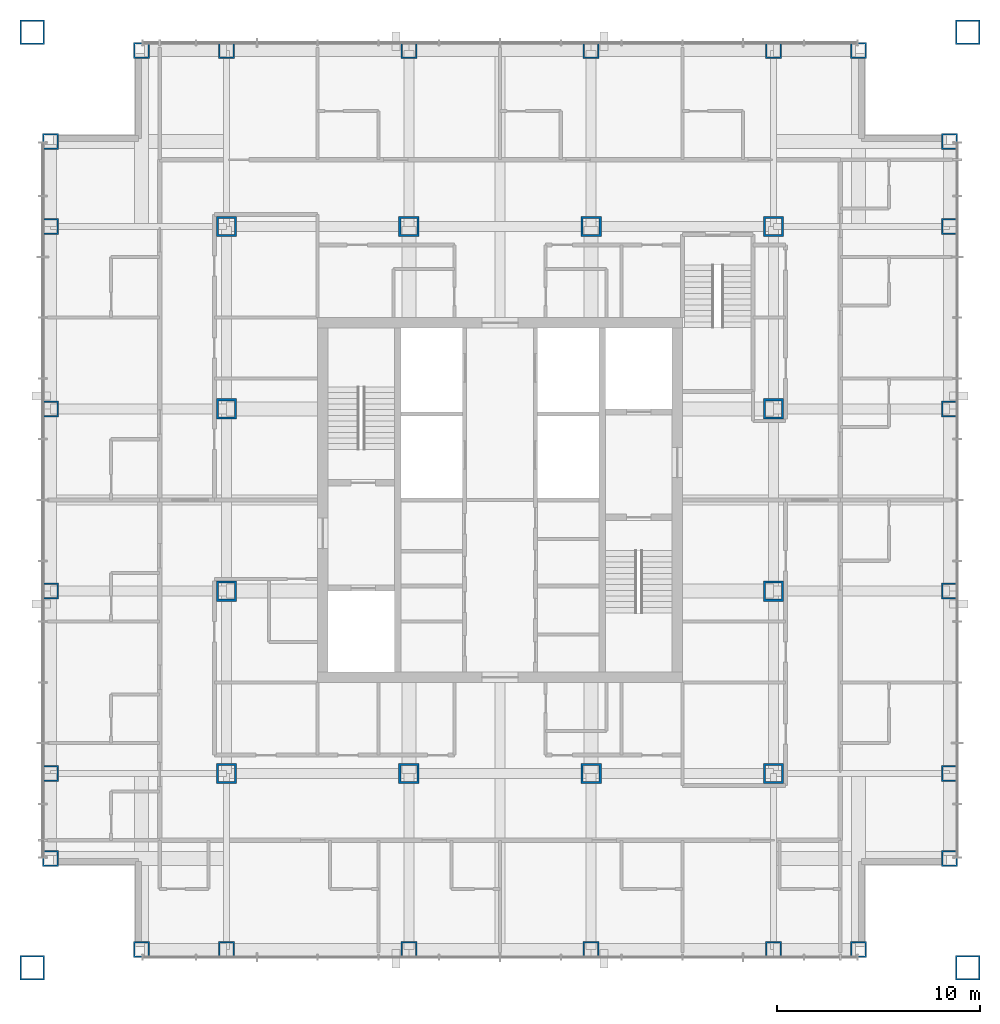
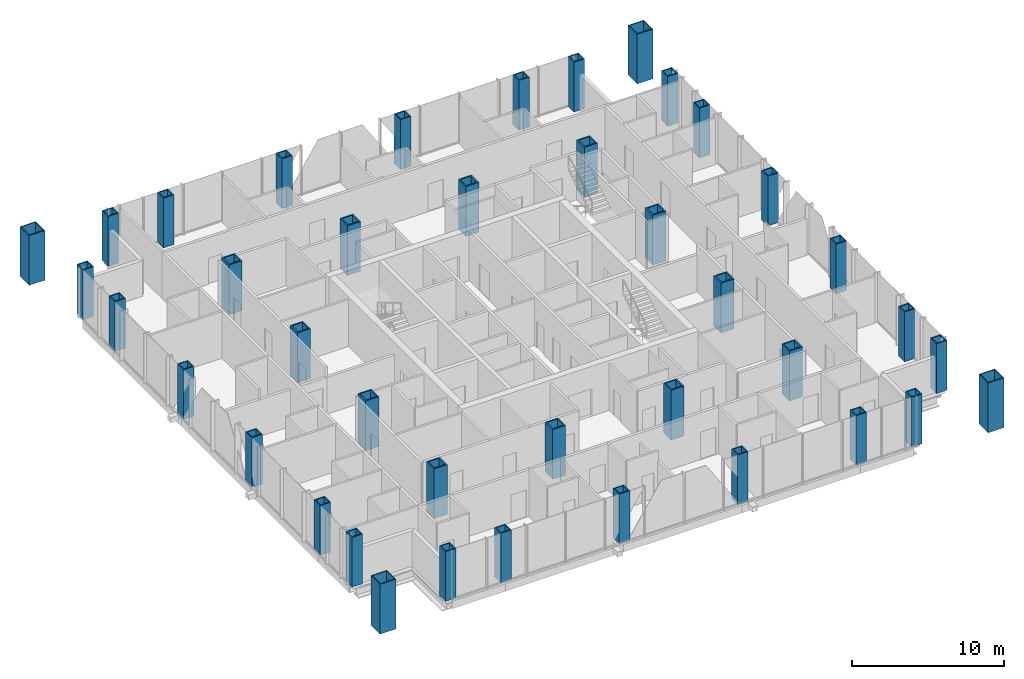
# One storey, part 1 of 17: 40 columns.
"""IFC4 building model written with IfcOpenShell, lengths in metres."""

from ifc_helpers import new_model, si_unit, direction, frame, origin, origin_2d, place, context, subcontext, project, spatial, hollow_rectangle, extrude, material, material_profile, profile_set, type_object, element, save


model = new_model("IFC4")

# Units and contexts
model_context = context("Model", 3, precision=1e-05, world=origin(), true_north=direction((0.0, 1.0)))
body_context = subcontext(model_context, "Body", "Model", "MODEL_VIEW")
ifc_project = project(units=[si_unit("LENGTHUNIT", "METRE"), si_unit("AREAUNIT", "SQUARE_METRE"), si_unit("VOLUMEUNIT", "CUBIC_METRE"), si_unit("PLANEANGLEUNIT", "RADIAN"), si_unit("MASSUNIT", "GRAM", prefix="KILO")], contexts=[model_context])

# Site, building, storey
site_placement = place(None, origin())
site = spatial("IfcSite", under=ifc_project, at=site_placement, CompositionType="ELEMENT")
building_placement = place(site_placement, origin())
building = spatial("IfcBuilding", under=site, at=building_placement, Name="Malebo Sky Hospital", CompositionType="ELEMENT")
storey_placement = place(building_placement, frame((0.0, 0.0, 237.0)))
storey = spatial("IfcBuildingStorey", under=building, at=storey_placement, Name="L57", CompositionType="ELEMENT", Elevation=237.0)

# Columns
ifc_material = material(Name="Steel S460", Category="steel")
ifc_material_profile_1 = material_profile(ifc_material, hollow_rectangle(XDim=1.0, YDim=1.0, WallThickness=0.10009765625, at=origin_2d()), Name="BOX 1000x1000x100")
ifc_profile_set_1 = profile_set([ifc_material_profile_1], Name="Steel S460")
column_type_1 = type_object("IfcColumnType", Name="INNER COLUMN BOX 1000x1000x100", PredefinedType="COLUMN", material=ifc_profile_set_1)
for number, where, z_axis, x_axis, name in (
    (1, (46.5, 48.5, 0.0), (0.0, 0.0, 1.0), (1.0, 0.0, 0.0), "Column IC9 L57"),
    (2, (73.5, 48.5, 0.0), (0.0, 0.0, 1.0), (1.0, 0.0, 0.0), "Column IC9 L57"),
    (3, (73.5, 75.5, 0.0), (0.0, 0.0, 1.0), (1.0, 0.0, 0.0), "Column IC9 L57"),
    (4, (46.5, 75.5, 0.0), (0.0, 0.0, 1.0), (1.0, 0.0, 0.0), "Column IC9 L57"),
    (5, (55.5, 48.5, 0.0), (0.0, 0.0, 1.0), (1.0, 0.0, 0.0), "Column IC9 L57"),
    (6, (64.5, 48.5, 0.0), (0.0, 0.0, 1.0), (1.0, 0.0, 0.0), "Column IC9 L57"),
    (7, (55.5, 75.5, 0.0), (0.0, 0.0, 1.0), (1.0, 0.0, 0.0), "Column IC9 L57"),
    (8, (64.5, 75.5, 0.0), (0.0, 0.0, 1.0), (1.0, 0.0, 0.0), "Column IC9 L57"),
    (9, (46.5, 57.5, 0.0), (0.0, 0.0, 1.0), (1.0, 0.0, 0.0), "Column IC9 L57"),
    (10, (46.5, 66.5, 0.0), (0.0, 0.0, 1.0), (1.0, 0.0, 0.0), "Column IC9 L57"),
    (11, (73.5, 57.5, 0.0), (0.0, 0.0, 1.0), (1.0, 0.0, 0.0), "Column IC9 L57"),
    (12, (73.5, 66.5, 0.0), (0.0, 0.0, 1.0), (1.0, 0.0, 0.0), "Column IC9 L57"),
):
    element("IfcColumn", number, at=place(storey_placement, frame(where, z_axis=z_axis, x_axis=x_axis)), inside=storey, type_object=column_type_1, Name=name, PredefinedType="COLUMN", context=body_context, shape_type="SweptSolid", body=[
        extrude(hollow_rectangle(XDim=1.0, YDim=1.0, WallThickness=0.10009765625, at=origin_2d()), origin(), (0.0, 0.0, 1.0), 4.0),
    ])
ifc_material_profile_2 = material_profile(ifc_material, hollow_rectangle(XDim=1.199951171875, YDim=1.199951171875, WallThickness=0.070068359375, at=origin_2d()), Name="BOX 1200x1200x70")
ifc_profile_set_2 = profile_set([ifc_material_profile_2], Name="Steel S460")
column_type_2 = type_object("IfcColumnType", Name="MEGA COLUMN BOX 1200x1200x70", PredefinedType="COLUMN", material=ifc_profile_set_2)
for number, where, z_axis, x_axis, name in (
    (13, (36.89990234375, 38.89990234375, 0.0), (0.0, 0.0, 1.0), (1.0, 0.0, 0.0), "Mega column SW L57"),
    (14, (83.10009765625, 38.89990234375, 0.0), (0.0, 0.0, 1.0), (1.0, 0.0, 0.0), "Mega column SE L57"),
    (15, (83.10009765625, 85.10009765625, 0.0), (0.0, 0.0, 1.0), (1.0, 0.0, 0.0), "Mega column NE L57"),
    (16, (36.89990234375, 85.10009765625, 0.0), (0.0, 0.0, 1.0), (1.0, 0.0, 0.0), "Mega column NW L57"),
):
    element("IfcColumn", number, at=place(storey_placement, frame(where, z_axis=z_axis, x_axis=x_axis)), inside=storey, type_object=column_type_2, Name=name, PredefinedType="COLUMN", context=body_context, shape_type="SweptSolid", body=[
        extrude(hollow_rectangle(XDim=1.199951171875, YDim=1.199951171875, WallThickness=0.070068359375, at=origin_2d()), origin(), (0.0, 0.0, 1.0), 4.0),
    ])
ifc_material_profile_3 = material_profile(ifc_material, hollow_rectangle(XDim=0.800048828125, YDim=0.800048828125, WallThickness=0.080078125, at=origin_2d()), Name="BOX 800x800x80")
ifc_profile_set_3 = profile_set([ifc_material_profile_3], Name="Steel S460")
column_type_3 = type_object("IfcColumnType", Name="PERIMETER COLUMN BOX 800x800x80", PredefinedType="COLUMN", material=ifc_profile_set_3)
for number, where, z_axis, x_axis, name in (
    (17, (42.300048828125, 39.800048828125, 0.0), (0.0, 0.0, 1.0), (1.0, 0.0, 0.0), "Column PC7 L57"),
    (18, (42.300048828125, 84.199951171875, 0.0), (0.0, 0.0, 1.0), (1.0, 0.0, 0.0), "Column PC7 L57"),
    (19, (37.800048828125, 44.300048828125, 0.0), (0.0, 0.0, 1.0), (1.0, 0.0, 0.0), "Column PC7 L57"),
    (20, (82.199951171875, 44.300048828125, 0.0), (0.0, 0.0, 1.0), (1.0, 0.0, 0.0), "Column PC7 L57"),
    (21, (46.5, 39.800048828125, 0.0), (0.0, 0.0, 1.0), (1.0, 0.0, 0.0), "Column PC7 L57"),
    (22, (46.5, 84.199951171875, 0.0), (0.0, 0.0, 1.0), (1.0, 0.0, 0.0), "Column PC7 L57"),
    (23, (37.800048828125, 48.5, 0.0), (0.0, 0.0, 1.0), (1.0, 0.0, 0.0), "Column PC7 L57"),
    (24, (82.199951171875, 48.5, 0.0), (0.0, 0.0, 1.0), (1.0, 0.0, 0.0), "Column PC7 L57"),
    (25, (55.5, 39.800048828125, 0.0), (0.0, 0.0, 1.0), (1.0, 0.0, 0.0), "Column PC7 L57"),
    (26, (55.5, 84.199951171875, 0.0), (0.0, 0.0, 1.0), (1.0, 0.0, 0.0), "Column PC7 L57"),
    (27, (37.800048828125, 57.5, 0.0), (0.0, 0.0, 1.0), (1.0, 0.0, 0.0), "Column PC7 L57"),
    (28, (82.199951171875, 57.5, 0.0), (0.0, 0.0, 1.0), (1.0, 0.0, 0.0), "Column PC7 L57"),
    (29, (64.5, 39.800048828125, 0.0), (0.0, 0.0, 1.0), (1.0, 0.0, 0.0), "Column PC7 L57"),
    (30, (64.5, 84.199951171875, 0.0), (0.0, 0.0, 1.0), (1.0, 0.0, 0.0), "Column PC7 L57"),
    (31, (37.800048828125, 66.5, 0.0), (0.0, 0.0, 1.0), (1.0, 0.0, 0.0), "Column PC7 L57"),
    (32, (82.199951171875, 66.5, 0.0), (0.0, 0.0, 1.0), (1.0, 0.0, 0.0), "Column PC7 L57"),
    (33, (73.5, 39.800048828125, 0.0), (0.0, 0.0, 1.0), (1.0, 0.0, 0.0), "Column PC7 L57"),
    (34, (73.5, 84.199951171875, 0.0), (0.0, 0.0, 1.0), (1.0, 0.0, 0.0), "Column PC7 L57"),
    (35, (37.800048828125, 75.5, 0.0), (0.0, 0.0, 1.0), (1.0, 0.0, 0.0), "Column PC7 L57"),
    (36, (82.199951171875, 75.5, 0.0), (0.0, 0.0, 1.0), (1.0, 0.0, 0.0), "Column PC7 L57"),
    (37, (77.699951171875, 39.800048828125, 0.0), (0.0, 0.0, 1.0), (1.0, 0.0, 0.0), "Column PC7 L57"),
    (38, (77.699951171875, 84.199951171875, 0.0), (0.0, 0.0, 1.0), (1.0, 0.0, 0.0), "Column PC7 L57"),
    (39, (37.800048828125, 79.699951171875, 0.0), (0.0, 0.0, 1.0), (1.0, 0.0, 0.0), "Column PC7 L57"),
    (40, (82.199951171875, 79.699951171875, 0.0), (0.0, 0.0, 1.0), (1.0, 0.0, 0.0), "Column PC7 L57"),
):
    element("IfcColumn", number, at=place(storey_placement, frame(where, z_axis=z_axis, x_axis=x_axis)), inside=storey, type_object=column_type_3, Name=name, PredefinedType="COLUMN", context=body_context, shape_type="SweptSolid", body=[
        extrude(hollow_rectangle(XDim=0.800048828125, YDim=0.800048828125, WallThickness=0.080078125, at=origin_2d()), origin(), (0.0, 0.0, 1.0), 4.0),
    ])

save(model, "model.ifc")
